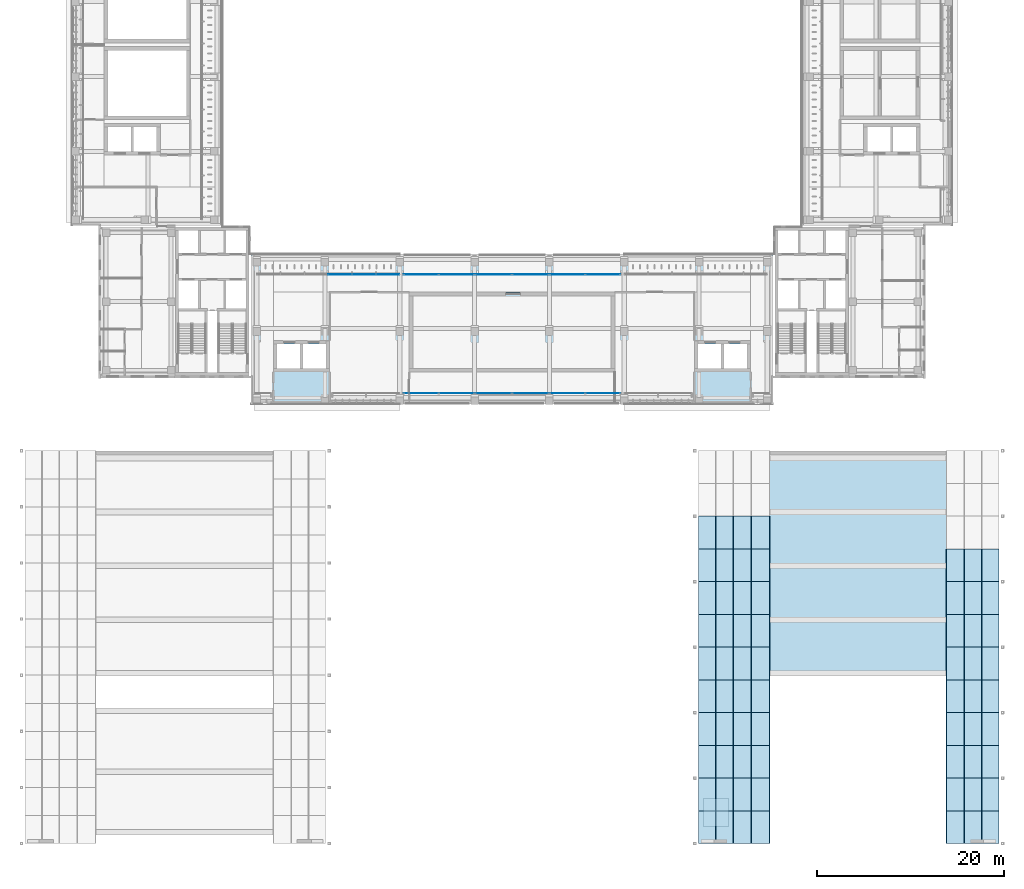
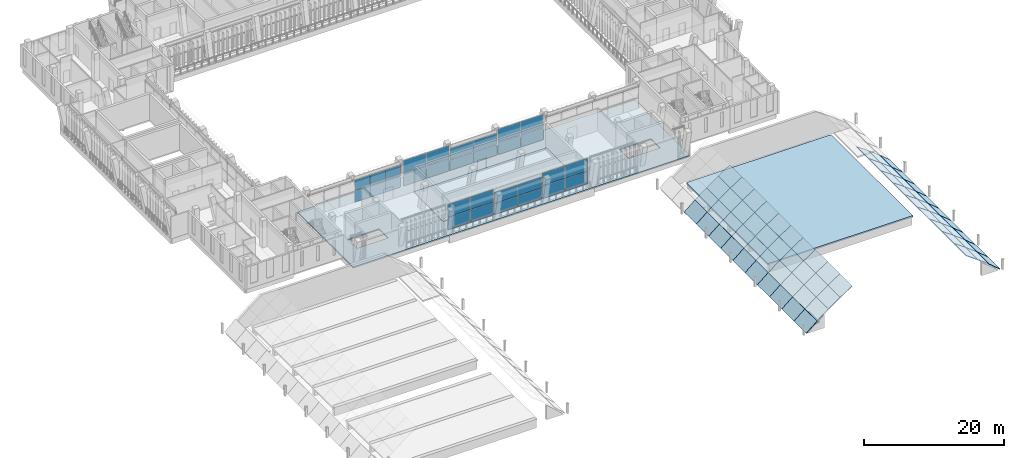
# One storey, part 50 of 89: 71 slabs, 30 plates, 7 elements without a shape of their own.
"""IFC4 building model written with IfcOpenShell, lengths in metres."""

from ifc_helpers import new_model, si_unit, direction, frame, origin, origin_2d, place, context, subcontext, project, spatial, polyline, rectangle, outline, extrude, material, layer, layer_set, type_object, element, aggregate, save


model = new_model("IFC4")

# Units and contexts
model_context = context("Model", 3, precision=1e-05, world=origin(), true_north=direction((0.0, 1.0)))
body_context = subcontext(model_context, "Body", "Model", "MODEL_VIEW")
ifc_project = project(units=[si_unit("LENGTHUNIT", "METRE"), si_unit("AREAUNIT", "SQUARE_METRE"), si_unit("VOLUMEUNIT", "CUBIC_METRE"), si_unit("PLANEANGLEUNIT", "RADIAN"), si_unit("MASSUNIT", "GRAM", prefix="KILO")], contexts=[model_context])

# Site, building, storey
site_placement = place(None, origin())
site = spatial("IfcSite", under=ifc_project, at=site_placement, CompositionType="ELEMENT")
building_placement = place(site_placement, origin())
building = spatial("IfcBuilding", under=site, at=building_placement, Name="Lantern Court Media Centre", CompositionType="ELEMENT")
storey_placement = place(building_placement, frame((0.0, 0.0, 14.39990234375)))
storey = spatial("IfcBuildingStorey", under=building, at=storey_placement, Name="L03", CompositionType="ELEMENT", Elevation=14.39990234375)

# Curtain wall, plates
ifc_material_1 = material(Name="Curtain wall bay 2400")
curtain_wall_type_1 = type_object("IfcCurtainWallType", Name="Curtain wall bay 2400", PredefinedType="NOTDEFINED", material=ifc_material_1)
curtain_wall_1_placement = place(storey_placement, origin())
curtain_wall_1 = element("IfcCurtainWall", 1, at=curtain_wall_1_placement, inside=storey, type_object=curtain_wall_type_1, Name="Curtain wall S inner L03", PredefinedType="NOTDEFINED")
ifc_material_2 = material(Name="Low-iron double glazed unit glass", Category="glass")
ifc_layer_1 = layer(ifc_material_2, 0.02392578125)
ifc_layer_set_1 = layer_set([ifc_layer_1], Name="Low-iron double glazed unit glass")
plate_type_1 = type_object("IfcPlateType", Name="Curtain wall glazing unit 24", PredefinedType="CURTAIN_PANEL", material=ifc_layer_set_1)
plate_1_placement = place(storey_placement, frame((33.625, 58.85009765625, 0.050048828125), z_axis=(0.0, 0.0, 1.0), x_axis=(1.0, 0.0, 0.0)))
plate_1 = element("IfcPlate", 2, at=plate_1_placement, type_object=plate_type_1, Name="CW2 panel 4.1", PredefinedType="CURTAIN_PANEL", context=body_context, shape_type="SweptSolid", body=[
    extrude(rectangle(XDim=2.5, YDim=0.02392578125, at=origin_2d()), origin(), (0.0, 0.0, 1.0), 1.89990234375),
])
plate_2_placement = place(storey_placement, frame((33.625, 58.85009765625, 2.000244140625), z_axis=(0.0, 0.0, 1.0), x_axis=(1.0, 0.0, 0.0)))
plate_2 = element("IfcPlate", 3, at=plate_2_placement, type_object=plate_type_1, Name="CW2 panel 4.2", PredefinedType="CURTAIN_PANEL", context=body_context, shape_type="SweptSolid", body=[
    extrude(rectangle(XDim=2.5, YDim=0.02392578125, at=origin_2d()), origin(), (0.0, 0.0, 1.0), 1.89990234375),
])
plate_3_placement = place(storey_placement, frame((36.175048828125, 58.85009765625, 0.050048828125), z_axis=(0.0, 0.0, 1.0), x_axis=(1.0, 0.0, 0.0)))
plate_3 = element("IfcPlate", 4, at=plate_3_placement, type_object=plate_type_1, Name="CW2 panel 5.1", PredefinedType="CURTAIN_PANEL", context=body_context, shape_type="SweptSolid", body=[
    extrude(rectangle(XDim=2.5, YDim=0.02392578125, at=origin_2d()), origin(), (0.0, 0.0, 1.0), 1.89990234375),
])
plate_4_placement = place(storey_placement, frame((36.175048828125, 58.85009765625, 2.000244140625), z_axis=(0.0, 0.0, 1.0), x_axis=(1.0, 0.0, 0.0)))
plate_4 = element("IfcPlate", 5, at=plate_4_placement, type_object=plate_type_1, Name="CW2 panel 5.2", PredefinedType="CURTAIN_PANEL", context=body_context, shape_type="SweptSolid", body=[
    extrude(rectangle(XDim=2.5, YDim=0.02392578125, at=origin_2d()), origin(), (0.0, 0.0, 1.0), 1.89990234375),
])
plate_5_placement = place(storey_placement, frame((38.71240234375, 58.85009765625, 0.050048828125), z_axis=(0.0, 0.0, 1.0), x_axis=(1.0, 0.0, 0.0)))
plate_5 = element("IfcPlate", 6, at=plate_5_placement, type_object=plate_type_1, Name="CW2 panel 6.1", PredefinedType="CURTAIN_PANEL", context=body_context, shape_type="SweptSolid", body=[
    extrude(rectangle(XDim=2.47509765625, YDim=0.02392578125, at=origin_2d()), origin(), (0.0, 0.0, 1.0), 1.89990234375),
])
plate_6_placement = place(storey_placement, frame((38.71240234375, 58.85009765625, 2.000244140625), z_axis=(0.0, 0.0, 1.0), x_axis=(1.0, 0.0, 0.0)))
plate_6 = element("IfcPlate", 7, at=plate_6_placement, type_object=plate_type_1, Name="CW2 panel 6.2", PredefinedType="CURTAIN_PANEL", context=body_context, shape_type="SweptSolid", body=[
    extrude(rectangle(XDim=2.47509765625, YDim=0.02392578125, at=origin_2d()), origin(), (0.0, 0.0, 1.0), 1.89990234375),
])
aggregate(curtain_wall_1, [plate_1, plate_2, plate_3, plate_4, plate_5, plate_6])

ifc_material_3 = material(Name="Curtain wall bay 4000")
curtain_wall_type_2 = type_object("IfcCurtainWallType", Name="Curtain wall bay 4000", PredefinedType="NOTDEFINED", material=ifc_material_3)
curtain_wall_2_placement = place(storey_placement, origin())
curtain_wall_2 = element("IfcCurtainWall", 8, at=curtain_wall_2_placement, inside=storey, type_object=curtain_wall_type_2, Name="Curtain wall S outer L03", PredefinedType="NOTDEFINED")
ifc_material_4 = material(Name="Laminated low-iron glass", Category="glass")
ifc_layer_2 = layer(ifc_material_4, 0.0400390625)
ifc_layer_set_2 = layer_set([ifc_layer_2], Name="Laminated low-iron glass")
plate_type_2 = type_object("IfcPlateType", Name="Curtain wall glazing unit 40", PredefinedType="CURTAIN_PANEL", material=ifc_layer_set_2)
plate_7_placement = place(storey_placement, frame((42.282470703125, 46.14990234375, 0.080078125), z_axis=(0.0, 0.0, 1.0), x_axis=(1.0, 0.0, 0.0)))
plate_7 = element("IfcPlate", 9, at=plate_7_placement, type_object=plate_type_2, Name="CW3 panel 1.1", PredefinedType="CURTAIN_PANEL", context=body_context, shape_type="SweptSolid", body=[
    extrude(rectangle(XDim=3.705078125, YDim=0.0400390625, at=origin_2d()), origin(), (0.0, 0.0, 1.0), 2.169921875),
])
plate_8_placement = place(storey_placement, frame((42.282470703125, 46.14990234375, 2.330078125), z_axis=(0.0, 0.0, 1.0), x_axis=(1.0, 0.0, 0.0)))
plate_8 = element("IfcPlate", 10, at=plate_8_placement, type_object=plate_type_2, Name="CW3 panel 1.2", PredefinedType="CURTAIN_PANEL", context=body_context, shape_type="SweptSolid", body=[
    extrude(rectangle(XDim=3.705078125, YDim=0.0400390625, at=origin_2d()), origin(), (0.0, 0.0, 1.0), 2.169921875),
])
plate_9_placement = place(storey_placement, frame((46.0673828125, 46.14990234375, 0.080078125), z_axis=(0.0, 0.0, 1.0), x_axis=(1.0, 0.0, 0.0)))
plate_9 = element("IfcPlate", 11, at=plate_9_placement, type_object=plate_type_2, Name="CW3 panel 2.1", PredefinedType="CURTAIN_PANEL", context=body_context, shape_type="SweptSolid", body=[
    extrude(rectangle(XDim=3.705078125, YDim=0.0400390625, at=origin_2d()), origin(), (0.0, 0.0, 1.0), 2.169921875),
])
plate_10_placement = place(storey_placement, frame((46.0673828125, 46.14990234375, 2.330078125), z_axis=(0.0, 0.0, 1.0), x_axis=(1.0, 0.0, 0.0)))
plate_10 = element("IfcPlate", 12, at=plate_10_placement, type_object=plate_type_2, Name="CW3 panel 2.2", PredefinedType="CURTAIN_PANEL", context=body_context, shape_type="SweptSolid", body=[
    extrude(rectangle(XDim=3.705078125, YDim=0.0400390625, at=origin_2d()), origin(), (0.0, 0.0, 1.0), 2.169921875),
])
aggregate(curtain_wall_2, [plate_7, plate_8, plate_9, plate_10])

curtain_wall_3_placement = place(storey_placement, origin())
curtain_wall_3 = element("IfcCurtainWall", 13, at=curtain_wall_3_placement, inside=storey, type_object=curtain_wall_type_2, Name="Curtain wall S outer L03", PredefinedType="NOTDEFINED")
plate_11_placement = place(storey_placement, frame((50.02001953125, 46.14990234375, 0.080078125), z_axis=(0.0, 0.0, 1.0), x_axis=(1.0, 0.0, 0.0)))
plate_11 = element("IfcPlate", 14, at=plate_11_placement, type_object=plate_type_2, Name="CW3 panel 1.1", PredefinedType="CURTAIN_PANEL", context=body_context, shape_type="SweptSolid", body=[
    extrude(rectangle(XDim=3.8798828125, YDim=0.0400390625, at=origin_2d()), origin(), (0.0, 0.0, 1.0), 1.85498046875),
])
plate_12_placement = place(storey_placement, frame((50.02001953125, 46.14990234375, 2.01513671875), z_axis=(0.0, 0.0, 1.0), x_axis=(1.0, 0.0, 0.0)))
plate_12 = element("IfcPlate", 15, at=plate_12_placement, type_object=plate_type_2, Name="CW3 panel 1.2", PredefinedType="CURTAIN_PANEL", context=body_context, shape_type="SweptSolid", body=[
    extrude(rectangle(XDim=3.8798828125, YDim=0.0400390625, at=origin_2d()), origin(), (0.0, 0.0, 1.0), 1.85498046875),
])
plate_13_placement = place(storey_placement, frame((53.97998046875, 46.14990234375, 0.080078125), z_axis=(0.0, 0.0, 1.0), x_axis=(1.0, 0.0, 0.0)))
plate_13 = element("IfcPlate", 16, at=plate_13_placement, type_object=plate_type_2, Name="CW3 panel 2.1", PredefinedType="CURTAIN_PANEL", context=body_context, shape_type="SweptSolid", body=[
    extrude(rectangle(XDim=3.8798828125, YDim=0.0400390625, at=origin_2d()), origin(), (0.0, 0.0, 1.0), 1.85498046875),
])
plate_14_placement = place(storey_placement, frame((53.97998046875, 46.14990234375, 2.01513671875), z_axis=(0.0, 0.0, 1.0), x_axis=(1.0, 0.0, 0.0)))
plate_14 = element("IfcPlate", 17, at=plate_14_placement, type_object=plate_type_2, Name="CW3 panel 2.2", PredefinedType="CURTAIN_PANEL", context=body_context, shape_type="SweptSolid", body=[
    extrude(rectangle(XDim=3.8798828125, YDim=0.0400390625, at=origin_2d()), origin(), (0.0, 0.0, 1.0), 1.85498046875),
])
aggregate(curtain_wall_3, [plate_11, plate_12, plate_13, plate_14])

curtain_wall_4_placement = place(storey_placement, origin())
curtain_wall_4 = element("IfcCurtainWall", 18, at=curtain_wall_4_placement, inside=storey, type_object=curtain_wall_type_2, Name="Curtain wall S outer L03", PredefinedType="NOTDEFINED")
plate_15_placement = place(storey_placement, frame((57.9326171875, 46.14990234375, 0.080078125), z_axis=(0.0, 0.0, 1.0), x_axis=(1.0, 0.0, 0.0)))
plate_15 = element("IfcPlate", 19, at=plate_15_placement, type_object=plate_type_2, Name="CW3 panel 1.1", PredefinedType="CURTAIN_PANEL", context=body_context, shape_type="SweptSolid", body=[
    extrude(rectangle(XDim=3.705078125, YDim=0.0400390625, at=origin_2d()), origin(), (0.0, 0.0, 1.0), 2.169921875),
])
plate_16_placement = place(storey_placement, frame((57.9326171875, 46.14990234375, 2.330078125), z_axis=(0.0, 0.0, 1.0), x_axis=(1.0, 0.0, 0.0)))
plate_16 = element("IfcPlate", 20, at=plate_16_placement, type_object=plate_type_2, Name="CW3 panel 1.2", PredefinedType="CURTAIN_PANEL", context=body_context, shape_type="SweptSolid", body=[
    extrude(rectangle(XDim=3.705078125, YDim=0.0400390625, at=origin_2d()), origin(), (0.0, 0.0, 1.0), 2.169921875),
])
plate_17_placement = place(storey_placement, frame((61.717529296875, 46.14990234375, 0.080078125), z_axis=(0.0, 0.0, 1.0), x_axis=(1.0, 0.0, 0.0)))
plate_17 = element("IfcPlate", 21, at=plate_17_placement, type_object=plate_type_2, Name="CW3 panel 2.1", PredefinedType="CURTAIN_PANEL", context=body_context, shape_type="SweptSolid", body=[
    extrude(rectangle(XDim=3.705078125, YDim=0.0400390625, at=origin_2d()), origin(), (0.0, 0.0, 1.0), 2.169921875),
])
plate_18_placement = place(storey_placement, frame((61.717529296875, 46.14990234375, 2.330078125), z_axis=(0.0, 0.0, 1.0), x_axis=(1.0, 0.0, 0.0)))
plate_18 = element("IfcPlate", 22, at=plate_18_placement, type_object=plate_type_2, Name="CW3 panel 2.2", PredefinedType="CURTAIN_PANEL", context=body_context, shape_type="SweptSolid", body=[
    extrude(rectangle(XDim=3.705078125, YDim=0.0400390625, at=origin_2d()), origin(), (0.0, 0.0, 1.0), 2.169921875),
])
aggregate(curtain_wall_4, [plate_15, plate_16, plate_17, plate_18])

curtain_wall_5_placement = place(storey_placement, origin())
curtain_wall_5 = element("IfcCurtainWall", 23, at=curtain_wall_5_placement, inside=storey, type_object=curtain_wall_type_2, Name="Curtain wall S inner L03", PredefinedType="NOTDEFINED")
plate_19_placement = place(storey_placement, frame((42.282470703125, 58.85009765625, 0.080078125), z_axis=(0.0, 0.0, 1.0), x_axis=(1.0, 0.0, 0.0)))
plate_19 = element("IfcPlate", 24, at=plate_19_placement, type_object=plate_type_2, Name="CW3 panel 1.1", PredefinedType="CURTAIN_PANEL", context=body_context, shape_type="SweptSolid", body=[
    extrude(rectangle(XDim=3.705078125, YDim=0.0400390625, at=origin_2d()), origin(), (0.0, 0.0, 1.0), 2.169921875),
])
plate_20_placement = place(storey_placement, frame((42.282470703125, 58.85009765625, 2.330078125), z_axis=(0.0, 0.0, 1.0), x_axis=(1.0, 0.0, 0.0)))
plate_20 = element("IfcPlate", 25, at=plate_20_placement, type_object=plate_type_2, Name="CW3 panel 1.2", PredefinedType="CURTAIN_PANEL", context=body_context, shape_type="SweptSolid", body=[
    extrude(rectangle(XDim=3.705078125, YDim=0.0400390625, at=origin_2d()), origin(), (0.0, 0.0, 1.0), 2.169921875),
])
plate_21_placement = place(storey_placement, frame((46.0673828125, 58.85009765625, 0.080078125), z_axis=(0.0, 0.0, 1.0), x_axis=(1.0, 0.0, 0.0)))
plate_21 = element("IfcPlate", 26, at=plate_21_placement, type_object=plate_type_2, Name="CW3 panel 2.1", PredefinedType="CURTAIN_PANEL", context=body_context, shape_type="SweptSolid", body=[
    extrude(rectangle(XDim=3.705078125, YDim=0.0400390625, at=origin_2d()), origin(), (0.0, 0.0, 1.0), 2.169921875),
])
plate_22_placement = place(storey_placement, frame((46.0673828125, 58.85009765625, 2.330078125), z_axis=(0.0, 0.0, 1.0), x_axis=(1.0, 0.0, 0.0)))
plate_22 = element("IfcPlate", 27, at=plate_22_placement, type_object=plate_type_2, Name="CW3 panel 2.2", PredefinedType="CURTAIN_PANEL", context=body_context, shape_type="SweptSolid", body=[
    extrude(rectangle(XDim=3.705078125, YDim=0.0400390625, at=origin_2d()), origin(), (0.0, 0.0, 1.0), 2.169921875),
])
aggregate(curtain_wall_5, [plate_19, plate_20, plate_21, plate_22])

curtain_wall_6_placement = place(storey_placement, origin())
curtain_wall_6 = element("IfcCurtainWall", 28, at=curtain_wall_6_placement, inside=storey, type_object=curtain_wall_type_2, Name="Curtain wall S inner L03", PredefinedType="NOTDEFINED")
plate_23_placement = place(storey_placement, frame((50.02001953125, 58.85009765625, 0.080078125), z_axis=(0.0, 0.0, 1.0), x_axis=(1.0, 0.0, 0.0)))
plate_23 = element("IfcPlate", 29, at=plate_23_placement, type_object=plate_type_2, Name="CW3 panel 1.1", PredefinedType="CURTAIN_PANEL", context=body_context, shape_type="SweptSolid", body=[
    extrude(rectangle(XDim=3.8798828125, YDim=0.0400390625, at=origin_2d()), origin(), (0.0, 0.0, 1.0), 1.85498046875),
])
plate_24_placement = place(storey_placement, frame((50.02001953125, 58.85009765625, 2.01513671875), z_axis=(0.0, 0.0, 1.0), x_axis=(1.0, 0.0, 0.0)))
plate_24 = element("IfcPlate", 30, at=plate_24_placement, type_object=plate_type_2, Name="CW3 panel 1.2", PredefinedType="CURTAIN_PANEL", context=body_context, shape_type="SweptSolid", body=[
    extrude(rectangle(XDim=3.8798828125, YDim=0.0400390625, at=origin_2d()), origin(), (0.0, 0.0, 1.0), 1.85498046875),
])
plate_25_placement = place(storey_placement, frame((53.97998046875, 58.85009765625, 0.080078125), z_axis=(0.0, 0.0, 1.0), x_axis=(1.0, 0.0, 0.0)))
plate_25 = element("IfcPlate", 31, at=plate_25_placement, type_object=plate_type_2, Name="CW3 panel 2.1", PredefinedType="CURTAIN_PANEL", context=body_context, shape_type="SweptSolid", body=[
    extrude(rectangle(XDim=3.8798828125, YDim=0.0400390625, at=origin_2d()), origin(), (0.0, 0.0, 1.0), 1.85498046875),
])
plate_26_placement = place(storey_placement, frame((53.97998046875, 58.85009765625, 2.01513671875), z_axis=(0.0, 0.0, 1.0), x_axis=(1.0, 0.0, 0.0)))
plate_26 = element("IfcPlate", 32, at=plate_26_placement, type_object=plate_type_2, Name="CW3 panel 2.2", PredefinedType="CURTAIN_PANEL", context=body_context, shape_type="SweptSolid", body=[
    extrude(rectangle(XDim=3.8798828125, YDim=0.0400390625, at=origin_2d()), origin(), (0.0, 0.0, 1.0), 1.85498046875),
])
aggregate(curtain_wall_6, [plate_23, plate_24, plate_25, plate_26])

curtain_wall_7_placement = place(storey_placement, origin())
curtain_wall_7 = element("IfcCurtainWall", 33, at=curtain_wall_7_placement, inside=storey, type_object=curtain_wall_type_2, Name="Curtain wall S inner L03", PredefinedType="NOTDEFINED")
plate_27_placement = place(storey_placement, frame((57.9326171875, 58.85009765625, 0.080078125), z_axis=(0.0, 0.0, 1.0), x_axis=(1.0, 0.0, 0.0)))
plate_27 = element("IfcPlate", 34, at=plate_27_placement, type_object=plate_type_2, Name="CW3 panel 1.1", PredefinedType="CURTAIN_PANEL", context=body_context, shape_type="SweptSolid", body=[
    extrude(rectangle(XDim=3.705078125, YDim=0.0400390625, at=origin_2d()), origin(), (0.0, 0.0, 1.0), 2.169921875),
])
plate_28_placement = place(storey_placement, frame((57.9326171875, 58.85009765625, 2.330078125), z_axis=(0.0, 0.0, 1.0), x_axis=(1.0, 0.0, 0.0)))
plate_28 = element("IfcPlate", 35, at=plate_28_placement, type_object=plate_type_2, Name="CW3 panel 1.2", PredefinedType="CURTAIN_PANEL", context=body_context, shape_type="SweptSolid", body=[
    extrude(rectangle(XDim=3.705078125, YDim=0.0400390625, at=origin_2d()), origin(), (0.0, 0.0, 1.0), 2.169921875),
])
plate_29_placement = place(storey_placement, frame((61.717529296875, 58.85009765625, 0.080078125), z_axis=(0.0, 0.0, 1.0), x_axis=(1.0, 0.0, 0.0)))
plate_29 = element("IfcPlate", 36, at=plate_29_placement, type_object=plate_type_2, Name="CW3 panel 2.1", PredefinedType="CURTAIN_PANEL", context=body_context, shape_type="SweptSolid", body=[
    extrude(rectangle(XDim=3.705078125, YDim=0.0400390625, at=origin_2d()), origin(), (0.0, 0.0, 1.0), 2.169921875),
])
plate_30_placement = place(storey_placement, frame((61.717529296875, 58.85009765625, 2.330078125), z_axis=(0.0, 0.0, 1.0), x_axis=(1.0, 0.0, 0.0)))
plate_30 = element("IfcPlate", 37, at=plate_30_placement, type_object=plate_type_2, Name="CW3 panel 2.2", PredefinedType="CURTAIN_PANEL", context=body_context, shape_type="SweptSolid", body=[
    extrude(rectangle(XDim=3.705078125, YDim=0.0400390625, at=origin_2d()), origin(), (0.0, 0.0, 1.0), 2.169921875),
])
aggregate(curtain_wall_7, [plate_27, plate_28, plate_29, plate_30])

# Slabs
ifc_material_5 = material(Name="Zinc standing seam on insulation")
ifc_layer_3 = layer(ifc_material_5, 0.10009765625)
ifc_layer_set_3 = layer_set([ifc_layer_3], Name="Zinc standing seam on insulation")
slab_type_1 = type_object("IfcSlabType", Name="Hall roof panel, standing seam 100", PredefinedType="ROOF", material=ifc_layer_set_3)
for number, where, z_axis, x_axis, name in (
    (38, (71.937744140625, -2.0, 0.148193359375), (-0.641727592896, 0.0, 0.766932654485), (0.766932654485, 0.0, 0.641727592896), "Studio Hall roof panel"),
    (39, (71.937744140625, 1.5, 0.148193359375), (-0.641727592896, 0.0, 0.766932654485), (0.766932654485, 0.0, 0.641727592896), "Studio Hall roof panel"),
    (40, (71.937744140625, 5.0, 0.148193359375), (-0.641727592896, 0.0, 0.766932654485), (0.766932654485, 0.0, 0.641727592896), "Studio Hall roof panel"),
    (41, (71.937744140625, 8.5, 0.148193359375), (-0.641727592896, 0.0, 0.766932654485), (0.766932654485, 0.0, 0.641727592896), "Studio Hall roof panel"),
    (42, (71.937744140625, 12.0, 0.148193359375), (-0.641727592896, 0.0, 0.766932654485), (0.766932654485, 0.0, 0.641727592896), "Studio Hall roof panel"),
    (43, (71.937744140625, 15.5, 0.148193359375), (-0.641727592896, 0.0, 0.766932654485), (0.766932654485, 0.0, 0.641727592896), "Studio Hall roof panel"),
    (44, (71.937744140625, 19.0, 0.148193359375), (-0.641727592896, 0.0, 0.766932654485), (0.766932654485, 0.0, 0.641727592896), "Studio Hall roof panel"),
    (45, (71.937744140625, 22.5, 0.148193359375), (-0.641727592896, 0.0, 0.766932654485), (0.766932654485, 0.0, 0.641727592896), "Studio Hall roof panel"),
    (46, (71.937744140625, 26.0, 0.148193359375), (-0.641727592896, 0.0, 0.766932654485), (0.766932654485, 0.0, 0.641727592896), "Studio Hall roof panel"),
    (47, (71.937744140625, 29.5, 0.148193359375), (-0.641727592896, 0.0, 0.766932654485), (0.766932654485, 0.0, 0.641727592896), "Studio Hall roof panel"),
):
    element("IfcSlab", number, at=place(storey_placement, frame(where, z_axis=z_axis, x_axis=x_axis)), inside=storey, type_object=slab_type_1, Name=name, PredefinedType="ROOF", context=body_context, shape_type="SweptSolid", body=[
        extrude(outline(polyline([(0.0, 0.0), (2.363310506340088, 0.0), (2.363310506340088, 3.5), (0.0, 3.5), (0.0, 0.0)])), origin(), (0.0, 0.0, -1.0), 0.10009765625),
    ])
for number, where, z_axis, x_axis, name in (
    (48, (73.757080078125, -2.0, 1.67041015625), (-0.610968132406, 0.0, 0.79165519084), (0.79165519084, 0.0, 0.610968132406), "Studio Hall roof panel"),
    (49, (73.757080078125, 1.5, 1.67041015625), (-0.610968132406, 0.0, 0.79165519084), (0.79165519084, 0.0, 0.610968132406), "Studio Hall roof panel"),
    (50, (73.757080078125, 5.0, 1.67041015625), (-0.610968132406, 0.0, 0.79165519084), (0.79165519084, 0.0, 0.610968132406), "Studio Hall roof panel"),
    (51, (73.757080078125, 8.5, 1.67041015625), (-0.610968132406, 0.0, 0.79165519084), (0.79165519084, 0.0, 0.610968132406), "Studio Hall roof panel"),
    (52, (73.757080078125, 12.0, 1.67041015625), (-0.610968132406, 0.0, 0.79165519084), (0.79165519084, 0.0, 0.610968132406), "Studio Hall roof panel"),
    (53, (73.757080078125, 15.5, 1.67041015625), (-0.610968132406, 0.0, 0.79165519084), (0.79165519084, 0.0, 0.610968132406), "Studio Hall roof panel"),
    (54, (73.757080078125, 19.0, 1.67041015625), (-0.610968132406, 0.0, 0.79165519084), (0.79165519084, 0.0, 0.610968132406), "Studio Hall roof panel"),
    (55, (73.757080078125, 22.5, 1.67041015625), (-0.610968132406, 0.0, 0.79165519084), (0.79165519084, 0.0, 0.610968132406), "Studio Hall roof panel"),
    (56, (73.757080078125, 26.0, 1.67041015625), (-0.610968132406, 0.0, 0.79165519084), (0.79165519084, 0.0, 0.610968132406), "Studio Hall roof panel"),
    (57, (73.757080078125, 29.5, 1.67041015625), (-0.610968132406, 0.0, 0.79165519084), (0.79165519084, 0.0, 0.610968132406), "Studio Hall roof panel"),
):
    element("IfcSlab", number, at=place(storey_placement, frame(where, z_axis=z_axis, x_axis=x_axis)), inside=storey, type_object=slab_type_1, Name=name, PredefinedType="ROOF", context=body_context, shape_type="SweptSolid", body=[
        extrude(outline(polyline([(0.0, 0.0), (2.36321271056103, 0.0), (2.36321271056103, 3.5), (0.0, 3.5), (0.0, 0.0)])), origin(), (0.0, 0.0, -1.0), 0.10009765625),
    ])
for number, where, z_axis, x_axis, name in (
    (58, (75.635009765625, -2.0, 3.11962890625), (-0.579223390628, 0.0, 0.815168855974), (0.815168855974, 0.0, 0.579223390628), "Studio Hall roof panel"),
    (59, (75.635009765625, 1.5, 3.11962890625), (-0.579223390628, 0.0, 0.815168855974), (0.815168855974, 0.0, 0.579223390628), "Studio Hall roof panel"),
    (60, (75.635009765625, 5.0, 3.11962890625), (-0.579223390628, 0.0, 0.815168855974), (0.815168855974, 0.0, 0.579223390628), "Studio Hall roof panel"),
    (61, (75.635009765625, 8.5, 3.11962890625), (-0.579223390628, 0.0, 0.815168855974), (0.815168855974, 0.0, 0.579223390628), "Studio Hall roof panel"),
    (62, (75.635009765625, 12.0, 3.11962890625), (-0.579223390628, 0.0, 0.815168855974), (0.815168855974, 0.0, 0.579223390628), "Studio Hall roof panel"),
    (63, (75.635009765625, 15.5, 3.11962890625), (-0.579223390628, 0.0, 0.815168855974), (0.815168855974, 0.0, 0.579223390628), "Studio Hall roof panel"),
    (64, (75.635009765625, 19.0, 3.11962890625), (-0.579223390628, 0.0, 0.815168855974), (0.815168855974, 0.0, 0.579223390628), "Studio Hall roof panel"),
    (65, (75.635009765625, 22.5, 3.11962890625), (-0.579223390628, 0.0, 0.815168855974), (0.815168855974, 0.0, 0.579223390628), "Studio Hall roof panel"),
    (66, (75.635009765625, 26.0, 3.11962890625), (-0.579223390628, 0.0, 0.815168855974), (0.815168855974, 0.0, 0.579223390628), "Studio Hall roof panel"),
    (67, (75.635009765625, 29.5, 3.11962890625), (-0.579223390628, 0.0, 0.815168855974), (0.815168855974, 0.0, 0.579223390628), "Studio Hall roof panel"),
):
    element("IfcSlab", number, at=place(storey_placement, frame(where, z_axis=z_axis, x_axis=x_axis)), inside=storey, type_object=slab_type_1, Name=name, PredefinedType="ROOF", context=body_context, shape_type="SweptSolid", body=[
        extrude(outline(polyline([(0.0, 0.0), (2.3633308090183927, 0.0), (2.3633308090183927, 3.5), (0.0, 3.5), (0.0, 0.0)])), origin(), (0.0, 0.0, -1.0), 0.10009765625),
    ])
for number, where, z_axis, x_axis, name in (
    (68, (77.56884765625, -2.0, 4.493408203125), (-0.546639605859, 0.0, 0.837367984405), (0.837367984405, 0.0, 0.546639605859), "Studio Hall roof panel"),
    (69, (77.56884765625, 1.5, 4.493408203125), (-0.546639605859, 0.0, 0.837367984405), (0.837367984405, 0.0, 0.546639605859), "Studio Hall roof panel"),
    (70, (77.56884765625, 5.0, 4.493408203125), (-0.546639605859, 0.0, 0.837367984405), (0.837367984405, 0.0, 0.546639605859), "Studio Hall roof panel"),
    (71, (77.56884765625, 8.5, 4.493408203125), (-0.546639605859, 0.0, 0.837367984405), (0.837367984405, 0.0, 0.546639605859), "Studio Hall roof panel"),
    (72, (77.56884765625, 12.0, 4.493408203125), (-0.546639605859, 0.0, 0.837367984405), (0.837367984405, 0.0, 0.546639605859), "Studio Hall roof panel"),
    (73, (77.56884765625, 15.5, 4.493408203125), (-0.546639605859, 0.0, 0.837367984405), (0.837367984405, 0.0, 0.546639605859), "Studio Hall roof panel"),
    (74, (77.56884765625, 19.0, 4.493408203125), (-0.546639605859, 0.0, 0.837367984405), (0.837367984405, 0.0, 0.546639605859), "Studio Hall roof panel"),
    (75, (77.56884765625, 22.5, 4.493408203125), (-0.546639605859, 0.0, 0.837367984405), (0.837367984405, 0.0, 0.546639605859), "Studio Hall roof panel"),
    (76, (77.56884765625, 26.0, 4.493408203125), (-0.546639605859, 0.0, 0.837367984405), (0.837367984405, 0.0, 0.546639605859), "Studio Hall roof panel"),
    (77, (77.56884765625, 29.5, 4.493408203125), (-0.546639605859, 0.0, 0.837367984405), (0.837367984405, 0.0, 0.546639605859), "Studio Hall roof panel"),
):
    element("IfcSlab", number, at=place(storey_placement, frame(where, z_axis=z_axis, x_axis=x_axis)), inside=storey, type_object=slab_type_1, Name=name, PredefinedType="ROOF", context=body_context, shape_type="SweptSolid", body=[
        extrude(outline(polyline([(0.0, 0.0), (2.3630707197757923, 0.0), (2.3630707197757923, 3.4999999999999996), (0.0, 3.4999999999999996), (0.0, 0.0)])), origin(), (0.0, 0.0, -1.0), 0.10009765625),
    ])
for number, where, z_axis, x_axis, name in (
    (78, (98.4384765625, -2.0, 4.488525390625), (0.579223390628, 0.0, 0.815168855974), (0.815168855974, 0.0, -0.579223390628), "Studio Hall roof panel"),
    (79, (98.4384765625, 1.5, 4.488525390625), (0.579223390628, 0.0, 0.815168855974), (0.815168855974, 0.0, -0.579223390628), "Studio Hall roof panel"),
    (80, (98.4384765625, 5.0, 4.488525390625), (0.579223390628, 0.0, 0.815168855974), (0.815168855974, 0.0, -0.579223390628), "Studio Hall roof panel"),
    (81, (98.4384765625, 8.5, 4.488525390625), (0.579223390628, 0.0, 0.815168855974), (0.815168855974, 0.0, -0.579223390628), "Studio Hall roof panel"),
    (82, (98.4384765625, 12.0, 4.488525390625), (0.579223390628, 0.0, 0.815168855974), (0.815168855974, 0.0, -0.579223390628), "Studio Hall roof panel"),
    (83, (98.4384765625, 15.5, 4.488525390625), (0.579223390628, 0.0, 0.815168855974), (0.815168855974, 0.0, -0.579223390628), "Studio Hall roof panel"),
    (84, (98.4384765625, 19.0, 4.488525390625), (0.579223390628, 0.0, 0.815168855974), (0.815168855974, 0.0, -0.579223390628), "Studio Hall roof panel"),
    (85, (98.4384765625, 22.5, 4.488525390625), (0.579223390628, 0.0, 0.815168855974), (0.815168855974, 0.0, -0.579223390628), "Studio Hall roof panel"),
    (86, (98.4384765625, 26.0, 4.488525390625), (0.579223390628, 0.0, 0.815168855974), (0.815168855974, 0.0, -0.579223390628), "Studio Hall roof panel"),
):
    element("IfcSlab", number, at=place(storey_placement, frame(where, z_axis=z_axis, x_axis=x_axis)), inside=storey, type_object=slab_type_1, Name=name, PredefinedType="ROOF", context=body_context, shape_type="SweptSolid", body=[
        extrude(outline(polyline([(0.0, 0.0), (2.3633308090183927, 0.0), (2.3633308090183927, 3.5), (0.0, 3.5), (0.0, 0.0)])), origin(), (0.0, 0.0, -1.0), 0.10009765625),
    ])
for number, where, z_axis, x_axis, name in (
    (87, (100.3720703125, -2.0, 3.1142578125), (0.610968132406, 0.0, 0.79165519084), (0.79165519084, 0.0, -0.610968132406), "Studio Hall roof panel"),
    (88, (100.3720703125, 1.5, 3.1142578125), (0.610968132406, 0.0, 0.79165519084), (0.79165519084, 0.0, -0.610968132406), "Studio Hall roof panel"),
    (89, (100.3720703125, 5.0, 3.1142578125), (0.610968132406, 0.0, 0.79165519084), (0.79165519084, 0.0, -0.610968132406), "Studio Hall roof panel"),
    (90, (100.3720703125, 8.5, 3.1142578125), (0.610968132406, 0.0, 0.79165519084), (0.79165519084, 0.0, -0.610968132406), "Studio Hall roof panel"),
    (91, (100.3720703125, 12.0, 3.1142578125), (0.610968132406, 0.0, 0.79165519084), (0.79165519084, 0.0, -0.610968132406), "Studio Hall roof panel"),
    (92, (100.3720703125, 15.5, 3.1142578125), (0.610968132406, 0.0, 0.79165519084), (0.79165519084, 0.0, -0.610968132406), "Studio Hall roof panel"),
    (93, (100.3720703125, 19.0, 3.1142578125), (0.610968132406, 0.0, 0.79165519084), (0.79165519084, 0.0, -0.610968132406), "Studio Hall roof panel"),
    (94, (100.3720703125, 22.5, 3.1142578125), (0.610968132406, 0.0, 0.79165519084), (0.79165519084, 0.0, -0.610968132406), "Studio Hall roof panel"),
    (95, (100.3720703125, 26.0, 3.1142578125), (0.610968132406, 0.0, 0.79165519084), (0.79165519084, 0.0, -0.610968132406), "Studio Hall roof panel"),
):
    element("IfcSlab", number, at=place(storey_placement, frame(where, z_axis=z_axis, x_axis=x_axis)), inside=storey, type_object=slab_type_1, Name=name, PredefinedType="ROOF", context=body_context, shape_type="SweptSolid", body=[
        extrude(outline(polyline([(0.0, 0.0), (2.36321271056103, 0.0), (2.36321271056103, 3.5), (0.0, 3.5), (0.0, 0.0)])), origin(), (0.0, 0.0, -1.0), 0.10009765625),
    ])
for number, where, z_axis, x_axis, name in (
    (96, (102.249755859375, -2.0, 1.664794921875), (0.641727592896, 0.0, 0.766932654485), (0.766932654485, 0.0, -0.641727592896), "Studio Hall roof panel"),
    (97, (102.249755859375, 1.5, 1.664794921875), (0.641727592896, 0.0, 0.766932654485), (0.766932654485, 0.0, -0.641727592896), "Studio Hall roof panel"),
    (98, (102.249755859375, 5.0, 1.664794921875), (0.641727592896, 0.0, 0.766932654485), (0.766932654485, 0.0, -0.641727592896), "Studio Hall roof panel"),
    (99, (102.249755859375, 8.5, 1.664794921875), (0.641727592896, 0.0, 0.766932654485), (0.766932654485, 0.0, -0.641727592896), "Studio Hall roof panel"),
    (100, (102.249755859375, 12.0, 1.664794921875), (0.641727592896, 0.0, 0.766932654485), (0.766932654485, 0.0, -0.641727592896), "Studio Hall roof panel"),
    (101, (102.249755859375, 15.5, 1.664794921875), (0.641727592896, 0.0, 0.766932654485), (0.766932654485, 0.0, -0.641727592896), "Studio Hall roof panel"),
    (102, (102.249755859375, 19.0, 1.664794921875), (0.641727592896, 0.0, 0.766932654485), (0.766932654485, 0.0, -0.641727592896), "Studio Hall roof panel"),
    (103, (102.249755859375, 22.5, 1.664794921875), (0.641727592896, 0.0, 0.766932654485), (0.766932654485, 0.0, -0.641727592896), "Studio Hall roof panel"),
    (104, (102.249755859375, 26.0, 1.664794921875), (0.641727592896, 0.0, 0.766932654485), (0.766932654485, 0.0, -0.641727592896), "Studio Hall roof panel"),
):
    element("IfcSlab", number, at=place(storey_placement, frame(where, z_axis=z_axis, x_axis=x_axis)), inside=storey, type_object=slab_type_1, Name=name, PredefinedType="ROOF", context=body_context, shape_type="SweptSolid", body=[
        extrude(outline(polyline([(0.0, 0.0), (2.363310506340088, 0.0), (2.363310506340088, 3.5), (0.0, 3.5), (0.0, 0.0)])), origin(), (0.0, 0.0, -1.0), 0.10009765625),
    ])
ifc_material_6 = material(Name="Concrete C40", Category="concrete")
ifc_layer_4 = layer(ifc_material_6, 0.25)
ifc_layer_set_4 = layer_set([ifc_layer_4], Name="Concrete C40")
slab_type_2 = type_object("IfcSlabType", Name="Head-house roof slab 250", PredefinedType="ROOF", material=ifc_layer_set_4)
slab_1_placement = place(storey_placement, frame((0.0, 0.0, -0.25)))
element("IfcSlab", 105, at=slab_1_placement, inside=storey, type_object=slab_type_2, Name="V2-LIFT shaft lid", PredefinedType="ROOF", context=body_context, shape_type="SweptSolid", body=[
    extrude(outline(polyline([(72.39990234375, -0.199951171875), (75.199951171875, -0.199951171875), (75.199951171875, 2.800048828125), (72.39990234375, 2.800048828125), (72.39990234375, -0.199951171875)])), origin(), (0.0, 0.0, 1.0), 0.25),
])
ifc_material_7 = material(Name="Concrete C35", Category="concrete")
ifc_layer_5 = layer(ifc_material_7, 0.219970703125)
ifc_layer_set_5 = layer_set([ifc_layer_5], Name="Concrete C35")
slab_type_3 = type_object("IfcSlabType", Name="RC FLOOR SLAB 220", PredefinedType="FLOOR", material=ifc_layer_set_5)
slab_2_placement = place(storey_placement, frame((0.0, 0.0, -0.219970703125)))
element("IfcSlab", 106, at=slab_2_placement, inside=storey, type_object=slab_type_3, Name="SL-S-L03", PredefinedType="FLOOR", context=body_context, shape_type="SweptSolid", body=[
    extrude(outline(polyline([(41.0, 45.0), (24.10009765625, 45.0), (24.10009765625, 61.0), (41.0, 61.0), (63.0, 61.0), (79.89990234375, 61.0), (79.89990234375, 45.0), (63.0, 45.0), (41.0, 45.0)]), holes=[polyline([(41.0, 48.39990234375), (63.0, 48.39990234375), (63.0, 56.949951171875), (41.0, 56.949951171875), (41.0, 48.39990234375)]), polyline([(32.10009765625, 48.800048828125), (32.10009765625, 51.39990234375), (26.89990234375, 51.39990234375), (26.89990234375, 48.800048828125), (32.10009765625, 48.800048828125)]), polyline([(77.10009765625, 48.800048828125), (77.10009765625, 51.39990234375), (71.89990234375, 51.39990234375), (71.89990234375, 48.800048828125), (77.10009765625, 48.800048828125)])]), origin(), (0.0, 0.0, 1.0), 0.219970703125),
])
ifc_layer_6 = layer(ifc_material_7, 0.419921875)
ifc_layer_set_6 = layer_set([ifc_layer_6], Name="Concrete C35")
slab_type_4 = type_object("IfcSlabType", Name="RC FLOOR SLAB 420", PredefinedType="FLOOR", material=ifc_layer_set_6)
slab_3_placement = place(storey_placement, frame((0.0, 0.0, -0.419921875)))
element("IfcSlab", 107, at=slab_3_placement, inside=storey, type_object=slab_type_4, Name="SL-S-L03-D1", PredefinedType="FLOOR", context=body_context, shape_type="SweptSolid", body=[
    extrude(outline(polyline([(63.0, 48.39990234375), (63.0, 56.949951171875), (41.0, 56.949951171875), (41.0, 48.39990234375), (63.0, 48.39990234375)])), origin(), (0.0, 0.0, 1.0), 0.419921875),
])
ifc_layer_7 = layer(ifc_material_7, 0.25)
ifc_layer_set_7 = layer_set([ifc_layer_7], Name="Concrete C35")
slab_type_5 = type_object("IfcSlabType", Name="RC ROOF SLAB 250", PredefinedType="ROOF", material=ifc_layer_set_7)
slab_4_placement = place(storey_placement, frame((0.0, 0.0, -0.25)))
element("IfcSlab", 108, at=slab_4_placement, inside=storey, type_object=slab_type_5, Name="SL-V2-V2-STA-ROOF", PredefinedType="ROOF", context=body_context, shape_type="SweptSolid", body=[
    extrude(outline(polyline([(100.0, 16.0), (100.0, 39.39990234375), (76.0, 39.39990234375), (76.0, 16.0), (100.0, 16.0)])), origin(), (0.0, 0.0, 1.0), 0.25),
])

save(model, "model.ifc")
